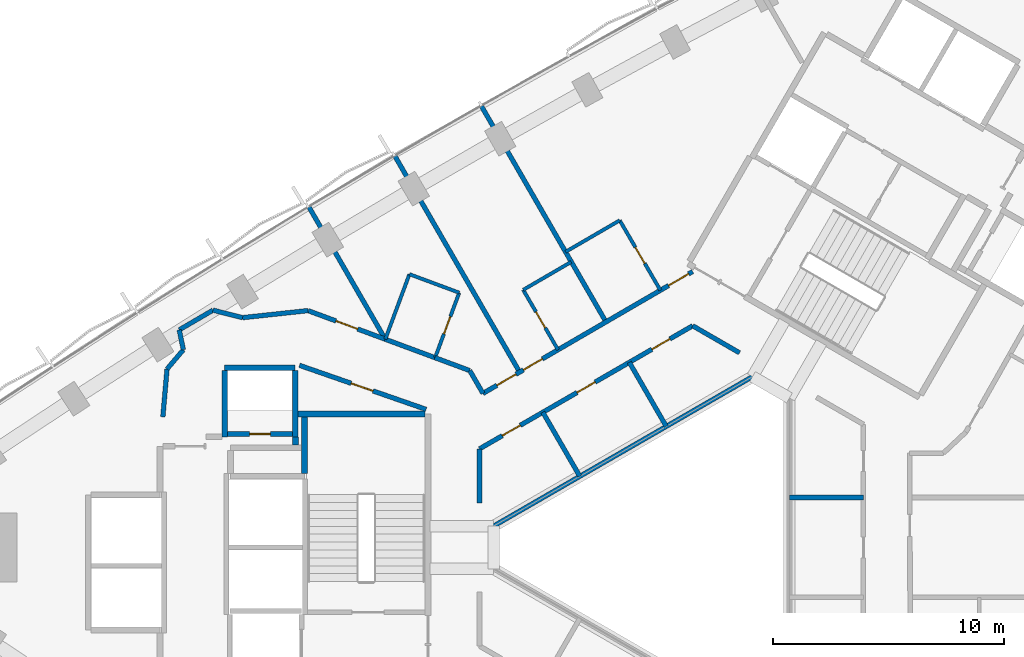
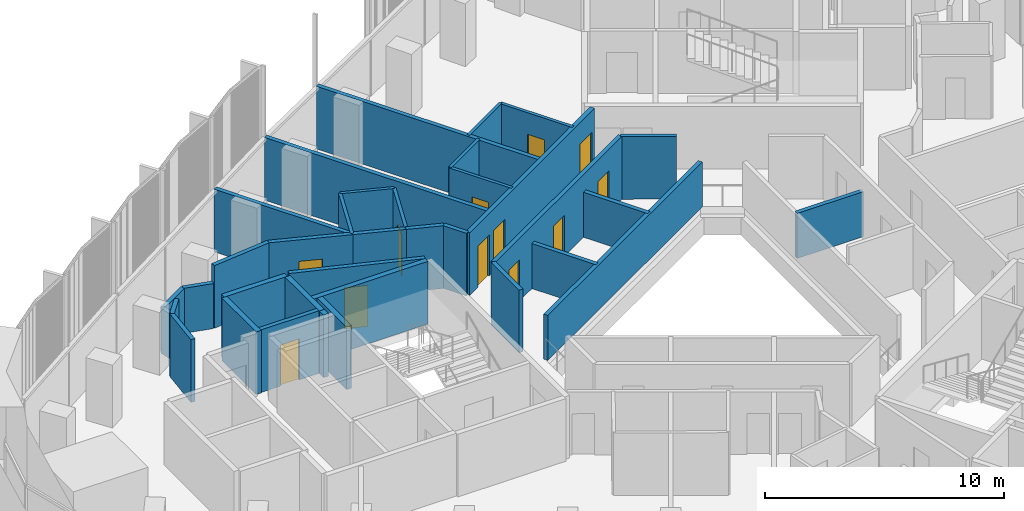
# One storey, part 10 of 15: 36 walls, 12 doors, 12 openings.
"""IFC4 building model written with IfcOpenShell, lengths in metres."""

import ifcopenshell
import ifcopenshell.guid

model = None  # the IFC model being written
_history = None  # IfcOwnerHistory: only IFC2X3 demands one
_inside = {}  # id of a spatial element -> (the spatial element, [elements in it])
_under = {}  # id of a project, library or spatial element -> (it, [spatial elements below it])
_declared = {}  # id of a project -> (the project, [libraries it declares])
_typed = {}  # id of a type object -> (the type object, [elements of that type])
_made_of = {}  # id of a material, layer set ... -> (it, [elements and type objects made of it])


def new_model(schema):
    """Start an empty IFC model of exactly this schema.

    Asked for "IFC4X3", IfcOpenShell would pick the latest addendum, in which some entities
    have other attributes; the version numbers below select the first issue.
    IFC2X3 requires an IfcOwnerHistory on every rooted entity: one is made here for all.
    """
    global model, _history
    if schema == "IFC4X3":
        model = ifcopenshell.file(schema_version=(4, 3, 0, 0))
    else:
        model = ifcopenshell.file(schema=schema)
    _inside.clear()
    _under.clear()
    _declared.clear()
    _typed.clear()
    _made_of.clear()
    _history = None
    if model.schema == "IFC2X3":
        org = make("IfcOrganization", Name="unknown")
        user = make(
            "IfcPersonAndOrganization",
            ThePerson=make("IfcPerson", FamilyName="unknown"),
            TheOrganization=org,
        )
        app = make(
            "IfcApplication",
            ApplicationDeveloper=org,
            Version="unknown",
            ApplicationFullName="unknown",
            ApplicationIdentifier="unknown",
        )
        _history = make(
            "IfcOwnerHistory",
            OwningUser=user,
            OwningApplication=app,
            ChangeAction="ADDED",
            CreationDate=0,
        )
    return model


def make(cls, **values):
    """One entity of the class cls with the attributes given. An attribute that is None is left unset."""
    return model.create_entity(
        cls, **{name: value for name, value in values.items() if value is not None}
    )


def rooted(cls, **values):
    """An entity with a GlobalId (a new one), such as an element, a storey or a relation."""
    return make(cls, GlobalId=ifcopenshell.guid.new(), OwnerHistory=_history, **values)


def si_unit(unit_type, name, prefix=None):
    """IfcSIUnit, for example si_unit("LENGTHUNIT", "METRE", prefix="MILLI")."""
    return make("IfcSIUnit", UnitType=unit_type, Prefix=prefix, Name=name)


def assignment(units):
    """IfcUnitAssignment: the units of a project."""
    return None if units is None else make("IfcUnitAssignment", Units=units)


def point(xyz):
    """IfcCartesianPoint."""
    return None if xyz is None else make("IfcCartesianPoint", Coordinates=xyz)


def direction(xyz):
    """IfcDirection."""
    return None if xyz is None else make("IfcDirection", DirectionRatios=xyz)


def frame(location, z_axis=None, x_axis=None):
    """IfcAxis2Placement3D, a coordinate frame: its origin and axes. An axis left out is left unset."""
    return make(
        "IfcAxis2Placement3D",
        Location=point(location),
        Axis=direction(z_axis),
        RefDirection=direction(x_axis),
    )


def frame_2d(location, x_axis=None):
    """IfcAxis2Placement2D, a coordinate frame in the plane: its origin and x axis."""
    return make(
        "IfcAxis2Placement2D", Location=point(location), RefDirection=direction(x_axis)
    )


def origin():
    """The frame at (0, 0, 0) with its axes left unset."""
    return frame((0.0, 0.0, 0.0))


def place(relative_to, where):
    """IfcLocalPlacement: puts the frame where relative to a parent placement (None: the world)."""
    return make(
        "IfcLocalPlacement", PlacementRelTo=relative_to, RelativePlacement=where
    )


def context(
    kind, dimensions, precision=None, world=None, true_north=None, identifier=None
):
    """IfcGeometricRepresentationContext, for example the 3D "Model" context."""
    return make(
        "IfcGeometricRepresentationContext",
        ContextIdentifier=identifier,
        ContextType=kind,
        CoordinateSpaceDimension=dimensions,
        Precision=precision,
        WorldCoordinateSystem=world,
        TrueNorth=true_north,
    )


def subcontext(parent, identifier, kind, view, scale=None):
    """IfcGeometricRepresentationSubContext, for example "Body" below "Model"."""
    return make(
        "IfcGeometricRepresentationSubContext",
        ContextIdentifier=identifier,
        ContextType=kind,
        ParentContext=parent,
        TargetScale=scale,
        TargetView=view,
    )


def project(units=None, contexts=None):
    """IfcProject with its units and contexts."""
    return rooted(
        "IfcProject",
        Name="project",
        RepresentationContexts=contexts,
        UnitsInContext=assignment(units),
    )


def spatial(cls, under=None, at=None, **own):
    """A site, building, storey or space (cls), placed at a placement, below another one or the project."""
    s = rooted(cls, ObjectPlacement=at, **own)
    if under is not None:
        _under.setdefault(under.id(), (under, []))[1].append(s)
    return s


def profile(cls, at=None, kind="AREA", **sizes):
    """A parametric profile (cls). Its sizes go by their IFC names, for example OverallWidth=200.0."""
    return make(cls, ProfileType=kind, Position=at, **sizes)


def rectangle(**sizes):
    """IfcRectangleProfileDef."""
    return profile("IfcRectangleProfileDef", **sizes)


def extrude(swept, where, along, depth):
    """IfcExtrudedAreaSolid: the profile swept, set in the frame where, extruded along a direction by depth."""
    return make(
        "IfcExtrudedAreaSolid",
        SweptArea=swept,
        Position=where,
        ExtrudedDirection=direction(along),
        Depth=depth,
    )


def shape(context_of_items, identifier, shape_type, items):
    """IfcShapeRepresentation: the items that make up one representation, for example the "Body"."""
    return make(
        "IfcShapeRepresentation",
        ContextOfItems=context_of_items,
        RepresentationIdentifier=identifier,
        RepresentationType=shape_type,
        Items=items,
    )


def material(Name=None, Category=None):
    """IfcMaterial."""
    return make("IfcMaterial", Name=Name, Category=Category)


def layer(
    of_material, thickness, ventilated=None, Name=None, Category=None, Priority=None
):
    """IfcMaterialLayer: one layer of a wall or slab, of a material (None: an air gap)."""
    return make(
        "IfcMaterialLayer",
        Material=of_material,
        LayerThickness=thickness,
        IsVentilated=ventilated,
        Name=Name,
        Category=Category,
        Priority=Priority,
    )


def layer_set(layers, Name=None):
    """IfcMaterialLayerSet."""
    return make("IfcMaterialLayerSet", MaterialLayers=layers, LayerSetName=Name)


def made_of(thing, what):
    """Note that an element or type object is made of a material, layer set ...; save() writes the relation."""
    if what is not None:
        _made_of.setdefault(what.id(), (what, []))[1].append(thing)
    return thing


def type_object(cls, material=None, **own):
    """A type object (cls), such as IfcWallType, which elements share."""
    return made_of(rooted(cls, **own), material)


def element(
    cls,
    number,
    at=None,
    inside=None,
    cuts=None,
    type_object=None,
    material=None,
    context=None,
    identifier="Body",
    shape_type=None,
    held_by="IfcProductDefinitionShape",
    body=None,
    shapes=None,
    **own,
):
    """One element of the class cls, such as IfcWall. Its Tag is "e" and its number.

    at: its placement. inside: the storey or other place that contains it. cuts: it is an
    opening in that element (IfcRelVoidsElement). A single representation is given by context,
    identifier, shape_type and body (its items); several are given by shapes. held_by: the class
    of the entity that holds the representations. save() writes the other relations.
    """
    e = rooted(cls, Tag="e%d" % number, ObjectPlacement=at, **own)
    if body is not None:
        shapes = [shape(context, identifier, shape_type, body)]
    if shapes is not None:
        e.Representation = make(held_by, Representations=shapes)
    if inside is not None:
        _inside.setdefault(inside.id(), (inside, []))[1].append(e)
    if cuts is not None:
        rooted(
            "IfcRelVoidsElement", RelatingBuildingElement=cuts, RelatedOpeningElement=e
        )
    if type_object is not None:
        _typed.setdefault(type_object.id(), (type_object, []))[1].append(e)
    return made_of(e, material)


def fill(opening, filler):
    """IfcRelFillsElement: the door or window that sits in an opening."""
    return rooted(
        "IfcRelFillsElement",
        RelatingOpeningElement=opening,
        RelatedBuildingElement=filler,
    )


def aggregate(whole, parts):
    """IfcRelAggregates: a whole, such as a stair, and the parts it consists of."""
    return rooted("IfcRelAggregates", RelatingObject=whole, RelatedObjects=parts)


def save(model, path):
    """Write the relations noted so far, then the file.

    IfcRelAggregates (storeys below a building ...), IfcRelContainedInSpatialStructure (elements
    in a storey), IfcRelDefinesByType, IfcRelAssociatesMaterial and IfcRelDeclares: one each for
    every whole, place, type object, material and project.
    """
    for whole, parts in _under.values():
        aggregate(whole, parts)
    for where, things in _inside.values():
        rooted(
            "IfcRelContainedInSpatialStructure",
            RelatedElements=things,
            RelatingStructure=where,
        )
    for kind, things in _typed.values():
        rooted("IfcRelDefinesByType", RelatedObjects=things, RelatingType=kind)
    for what, things in _made_of.values():
        rooted("IfcRelAssociatesMaterial", RelatedObjects=things, RelatingMaterial=what)
    for by, libraries in _declared.values():
        rooted("IfcRelDeclares", RelatingContext=by, RelatedDefinitions=libraries)
    model.write(path)


model = new_model("IFC4")

# Units and contexts
model_context = context("Model", 3, precision=1e-05, world=origin(), true_north=direction((0.0, 1.0)))
body_context = subcontext(model_context, "Body", "Model", "MODEL_VIEW")
ifc_project = project(units=[si_unit("LENGTHUNIT", "METRE"), si_unit("AREAUNIT", "SQUARE_METRE"), si_unit("VOLUMEUNIT", "CUBIC_METRE"), si_unit("PLANEANGLEUNIT", "RADIAN"), si_unit("MASSUNIT", "GRAM", prefix="KILO")], contexts=[model_context])

# Site, building, storey
site_placement = place(None, origin())
site = spatial("IfcSite", under=ifc_project, at=site_placement, CompositionType="ELEMENT")
building_placement = place(site_placement, origin())
building = spatial("IfcBuilding", under=site, at=building_placement, Name="Tamra Quay Hotel Tower", CompositionType="ELEMENT")
storey_placement = place(building_placement, frame((0.0, 0.0, 157.60009765625)))
storey = spatial("IfcBuildingStorey", under=building, at=storey_placement, Name="L39", CompositionType="ELEMENT", Elevation=157.60009765625)

# Wall, opening, door
ifc_material_1 = material(Name="Concrete M70", Category="concrete")
ifc_layer_1 = layer(ifc_material_1, 0.199951171875)
ifc_layer_set_1 = layer_set([ifc_layer_1], Name="Concrete M70 core wall 200")
wall_type_1 = type_object("IfcWallType", Name="Concrete M70 core wall 200", PredefinedType="SHEAR", material=ifc_layer_set_1)
wall_1_placement = place(storey_placement, frame((-19.51123046875, 4.91015625, 0.0), z_axis=(0.0, 0.0, 1.0), x_axis=(1.0, 0.0, 0.0)))
wall_1 = element("IfcWall", 1, at=wall_1_placement, inside=storey, type_object=wall_type_1, Name="CW2", PredefinedType="SHEAR", context=body_context, shape_type="SweptSolid", body=[
    extrude(rectangle(XDim=2.7978515625, YDim=0.199951171875, at=frame_2d((1.39892578125, 0.0))), origin(), (0.0, 0.0, 1.0), 3.199951171875),
])
opening_1_placement = place(wall_1_placement, frame((0.948974609375, 0.0, 0.0)))
opening_1 = element("IfcOpeningElement", 2, at=opening_1_placement, cuts=wall_1, Name="Opening D1", PredefinedType="OPENING", context=body_context, shape_type="SweptSolid", body=[
    extrude(rectangle(XDim=0.89990234375, YDim=2.10009765625, at=frame_2d((0.449951171875, 1.050048828125))), frame((0.0, 0.10986328125, 0.0), z_axis=(0.0, -1.0, 0.0), x_axis=(1.0, 0.0, 0.0)), (0.0, 0.0, 1.0), 0.219970703125),
])
ifc_material_2 = material(Name="Core door D1 900x2100 RH")
door_type_1 = type_object("IfcDoorType", Name="Core door D1 900x2100 RH", OperationType="NOTDEFINED", PredefinedType="DOOR", material=ifc_material_2)
door_1_placement = place(opening_1_placement, origin())
door_1 = element("IfcDoor", 3, at=door_1_placement, inside=storey, type_object=door_type_1, Name="D1", OperationType="SINGLE_SWING_RIGHT", OverallHeight=2.10009765625, OverallWidth=0.89990234375, PredefinedType="DOOR", context=body_context, shape_type="SweptSolid", body=[
    extrude(rectangle(XDim=0.89990234375, YDim=2.10009765625, at=frame_2d((0.449951171875, 1.050048828125))), frame((0.0, 0.02490234375, 0.0), z_axis=(0.0, -1.0, 0.0), x_axis=(1.0, 0.0, 0.0)), (0.0, 0.0, 1.0), 0.050048828125),
])
fill(opening_1, door_1)

# Walls
ifc_layer_2 = layer(ifc_material_1, 0.25)
ifc_layer_set_2 = layer_set([ifc_layer_2], Name="Concrete M70 core wall 250")
wall_type_2 = type_object("IfcWallType", Name="Concrete M70 core wall 250", PredefinedType="SHEAR", material=ifc_layer_set_2)
wall_2_placement = place(storey_placement, frame((-16.47216796875, 5.77490234375, 0.0), z_axis=(0.0, 0.0, 1.0), x_axis=(1.0, 0.0, 0.0)))
element("IfcWall", 4, at=wall_2_placement, inside=storey, type_object=wall_type_2, Name="CW1", PredefinedType="SHEAR", context=body_context, shape_type="SweptSolid", body=[
    extrude(rectangle(XDim=5.509521484375, YDim=0.25, at=frame_2d((2.7548828125, 0.0))), origin(), (0.0, 0.0, 1.0), 3.199951171875),
])
wall_3_placement = place(storey_placement, frame((-19.63720703125, 7.77490234375, 0.0), z_axis=(0.0, 0.0, 1.0), x_axis=(1.0, 0.0, 0.0)))
element("IfcWall", 5, at=wall_3_placement, inside=storey, type_object=wall_type_2, Name="CW1", PredefinedType="SHEAR", context=body_context, shape_type="SweptSolid", body=[
    extrude(rectangle(XDim=3.0498046875, YDim=0.25, at=frame_2d((1.52490234375, 0.0))), origin(), (0.0, 0.0, 1.0), 3.199951171875),
])
for number, where, z_axis, x_axis, name in (
    (6, (-16.58740234375, 7.649658203125, 0.0), (0.0, 0.0, 1.0), (0.0, -1.0, 0.0), "CW1"),
    (7, (-19.63720703125, 4.784912109375, 0.0), (0.0, 0.0, 1.0), (0.0, 1.0, 0.0), "CW1"),
):
    element("IfcWall", number, at=place(storey_placement, frame(where, z_axis=z_axis, x_axis=x_axis)), inside=storey, type_object=wall_type_2, Name=name, PredefinedType="SHEAR", context=body_context, shape_type="SweptSolid", body=[
        extrude(rectangle(XDim=2.86474609375, YDim=0.25, at=frame_2d((1.432373046875, 0.0))), origin(), (0.0, 0.0, 1.0), 3.199951171875),
    ])
wall_4_placement = place(storey_placement, frame((-16.187255859375, 3.200439453125, 0.0), z_axis=(0.0, 0.0, 1.0), x_axis=(0.0, 1.0, 0.0)))
element("IfcWall", 8, at=wall_4_placement, inside=storey, type_object=wall_type_2, Name="CW1", PredefinedType="SHEAR", context=body_context, shape_type="SweptSolid", body=[
    extrude(rectangle(XDim=2.44921875, YDim=0.25, at=frame_2d((1.224609375, 0.0))), origin(), (0.0, 0.0, 1.0), 3.199951171875),
])
wall_5_placement = place(storey_placement, frame((-16.577392578125, 4.784912109375, 0.0), z_axis=(0.0, 0.0, 1.0), x_axis=(0.0, -1.0, 0.0)))
element("IfcWall", 9, at=wall_5_placement, inside=storey, type_object=wall_type_2, Name="CW1", PredefinedType="SHEAR", context=body_context, shape_type="SweptSolid", body=[
    extrude(rectangle(XDim=0.344482421875, YDim=0.25, at=frame_2d((0.17236328125, 0.0))), origin(), (0.0, 0.0, 1.0), 3.199951171875),
])
ifc_material_3 = material(Name="Partition corridor wall")
ifc_layer_3 = layer(ifc_material_3, 0.199951171875)
ifc_layer_set_3 = layer_set([ifc_layer_3], Name="Partition corridor wall")
wall_type_3 = type_object("IfcWallType", Name="Partition corridor wall", PredefinedType="PARTITIONING", material=ifc_layer_set_3)
wall_6_placement = place(storey_placement, frame((-22.131103515625, 7.719970703125, 0.0), z_axis=(0.0, 0.0, 1.0), x_axis=(-0.086827346826, -0.996223374471, 0.0)))
element("IfcWall", 10, at=wall_6_placement, inside=storey, type_object=wall_type_3, Name="W-C", PredefinedType="PARTITIONING", context=body_context, shape_type="SweptSolid", body=[
    extrude(rectangle(XDim=2.077880859375, YDim=0.199951171875, at=frame_2d((1.0390625, 0.0))), origin(), (0.0, 0.0, 1.0), 3.199951171875),
])
wall_7_placement = place(storey_placement, frame((-22.131103515625, 7.719970703125, 0.0), z_axis=(0.0, 0.0, 1.0), x_axis=(0.647024749006, 0.762468998828, 0.0)))
element("IfcWall", 11, at=wall_7_placement, inside=storey, type_object=wall_type_3, Name="W-C", PredefinedType="PARTITIONING", context=body_context, shape_type="SweptSolid", body=[
    extrude(rectangle(XDim=1.09130859375, YDim=0.199951171875, at=frame_2d((0.545654296875, 0.0))), origin(), (0.0, 0.0, 1.0), 3.199951171875),
])
wall_8_placement = place(storey_placement, frame((-21.60498046875, 9.412109375, 0.0), z_axis=(0.0, 0.0, 1.0), x_axis=(0.204764111512, -0.978811349871, 0.0)))
element("IfcWall", 12, at=wall_8_placement, inside=storey, type_object=wall_type_3, Name="W-C", PredefinedType="PARTITIONING", context=body_context, shape_type="SweptSolid", body=[
    extrude(rectangle(XDim=0.878662109375, YDim=0.199951171875, at=frame_2d((0.439453125, 0.0))), origin(), (0.0, 0.0, 1.0), 2.2998046875),
])
wall_9_placement = place(storey_placement, frame((-21.60400390625, 9.4130859375, 0.0), z_axis=(0.0, 0.0, 1.0), x_axis=(0.863736988548, 0.503942868402, 0.0)))
element("IfcWall", 13, at=wall_9_placement, inside=storey, type_object=wall_type_3, Name="W-C", PredefinedType="PARTITIONING", context=body_context, shape_type="SweptSolid", body=[
    extrude(rectangle(XDim=1.690185546875, YDim=0.199951171875, at=frame_2d((0.84521484375, 0.0))), origin(), (0.0, 0.0, 1.0), 2.2998046875),
])
wall_10_placement = place(storey_placement, frame((-20.14306640625, 10.26611328125, 0.0), z_axis=(0.0, 0.0, 1.0), x_axis=(0.969121308325, -0.246584447505, 0.0)))
element("IfcWall", 14, at=wall_10_placement, inside=storey, type_object=wall_type_3, Name="W-C", PredefinedType="PARTITIONING", context=body_context, shape_type="SweptSolid", body=[
    extrude(rectangle(XDim=1.31884765625, YDim=0.199951171875, at=frame_2d((0.659423828125, 0.0))), origin(), (0.0, 0.0, 1.0), 2.2998046875),
])
wall_11_placement = place(storey_placement, frame((-18.864990234375, 9.94091796875, 0.0), z_axis=(0.0, 0.0, 1.0), x_axis=(0.99423123086, 0.107257911519, 0.0)))
element("IfcWall", 15, at=wall_11_placement, inside=storey, type_object=wall_type_3, Name="W-C", PredefinedType="PARTITIONING", context=body_context, shape_type="SweptSolid", body=[
    extrude(rectangle(XDim=2.854248046875, YDim=0.199951171875, at=frame_2d((1.42724609375, 0.0))), origin(), (0.0, 0.0, 1.0), 3.199951171875),
])

# Wall, opening, door
wall_12_placement = place(storey_placement, frame((-16.40234375, 7.879150390625, 0.0), z_axis=(0.0, 0.0, 1.0), x_axis=(0.944492255471, -0.328533680702, 0.0)))
wall_12 = element("IfcWall", 16, at=wall_12_placement, inside=storey, type_object=wall_type_3, Name="W-C", PredefinedType="PARTITIONING", context=body_context, shape_type="SweptSolid", body=[
    extrude(rectangle(XDim=5.80224609375, YDim=0.199951171875, at=frame_2d((2.901123046875, 0.0))), origin(), (0.0, 0.0, 1.0), 3.199951171875),
])
opening_2_placement = place(wall_12_placement, frame((2.36962890625, 0.0, 0.0)))
opening_2 = element("IfcOpeningElement", 17, at=opening_2_placement, cuts=wall_12, Name="Opening L39-D012", PredefinedType="OPENING", context=body_context, shape_type="SweptSolid", body=[
    extrude(rectangle(XDim=1.0, YDim=2.10009765625, at=frame_2d((0.5, 1.050048828125))), frame((0.0, 0.10986328125, 0.0), z_axis=(0.0, -1.0, 0.0), x_axis=(1.0, 0.0, 0.0)), (0.0, 0.0, 1.0), 0.219970703125),
])
ifc_material_4 = material(Name="Door guest room 1000x2100")
door_type_2 = type_object("IfcDoorType", Name="Door guest room 1000x2100", OperationType="NOTDEFINED", PredefinedType="DOOR", material=ifc_material_4)
door_2_placement = place(opening_2_placement, frame((1.0, 0.0, 0.0), z_axis=(0.0, 0.0, 1.0), x_axis=(-1.0, 0.0, 0.0)))
door_2 = element("IfcDoor", 18, at=door_2_placement, inside=storey, type_object=door_type_2, Name="L39-D012", OperationType="SINGLE_SWING_LEFT", OverallHeight=2.10009765625, OverallWidth=1.0, PredefinedType="DOOR", context=body_context, shape_type="SweptSolid", body=[
    extrude(rectangle(XDim=1.0, YDim=2.10009765625, at=frame_2d((0.5, 1.050048828125))), frame((0.0, 0.02490234375, 0.0), z_axis=(0.0, -1.0, 0.0), x_axis=(1.0, 0.0, 0.0)), (0.0, 0.0, 1.0), 0.050048828125),
])
fill(opening_2, door_2)

wall_13_placement = place(storey_placement, frame((-16.0263671875, 10.244873046875, 0.0), z_axis=(0.0, 0.0, 1.0), x_axis=(0.937597839511, -0.347721571584, 0.0)))
wall_13 = element("IfcWall", 19, at=wall_13_placement, inside=storey, type_object=wall_type_3, Name="W-C", PredefinedType="PARTITIONING", context=body_context, shape_type="SweptSolid", body=[
    extrude(rectangle(XDim=3.572998046875, YDim=0.199951171875, at=frame_2d((1.78662109375, 0.0))), origin(), (0.0, 0.0, 1.0), 3.199951171875),
])
opening_3_placement = place(wall_13_placement, frame((1.28662109375, 0.0, 0.0)))
opening_3 = element("IfcOpeningElement", 20, at=opening_3_placement, cuts=wall_13, Name="Opening L39-D013", PredefinedType="OPENING", context=body_context, shape_type="SweptSolid", body=[
    extrude(rectangle(XDim=1.0, YDim=2.10009765625, at=frame_2d((0.5, 1.050048828125))), frame((0.0, 0.10986328125, 0.0), z_axis=(0.0, -1.0, 0.0), x_axis=(1.0, 0.0, 0.0)), (0.0, 0.0, 1.0), 0.219970703125),
])
door_3_placement = place(opening_3_placement, frame((1.0, 0.0, 0.0), z_axis=(0.0, 0.0, 1.0), x_axis=(-1.0, 0.0, 0.0)))
door_3 = element("IfcDoor", 21, at=door_3_placement, inside=storey, type_object=door_type_2, Name="L39-D013", OperationType="SINGLE_SWING_LEFT", OverallHeight=2.10009765625, OverallWidth=1.0, PredefinedType="DOOR", context=body_context, shape_type="SweptSolid", body=[
    extrude(rectangle(XDim=1.0, YDim=2.10009765625, at=frame_2d((0.5, 1.050048828125))), frame((0.0, 0.02490234375, 0.0), z_axis=(0.0, -1.0, 0.0), x_axis=(1.0, 0.0, 0.0)), (0.0, 0.0, 1.0), 0.050048828125),
])
fill(opening_3, door_3)

# Walls
wall_14_placement = place(storey_placement, frame((-12.698974609375, 9.010986328125, 0.0), z_axis=(0.0, 0.0, 1.0), x_axis=(0.937666284737, -0.347536959858, 0.0)))
element("IfcWall", 22, at=wall_14_placement, inside=storey, type_object=wall_type_3, Name="W-C", PredefinedType="PARTITIONING", context=body_context, shape_type="SweptSolid", body=[
    extrude(rectangle(XDim=2.32177734375, YDim=0.199951171875, at=frame_2d((1.160888671875, 0.0))), origin(), (0.0, 0.0, 1.0), 3.199951171875),
])
wall_15_placement = place(storey_placement, frame((-10.544921875, 8.2119140625, 0.0), z_axis=(0.0, 0.0, 1.0), x_axis=(0.937637162141, -0.347615523491, 0.0)))
element("IfcWall", 23, at=wall_15_placement, inside=storey, type_object=wall_type_3, Name="W-C", PredefinedType="PARTITIONING", context=body_context, shape_type="SweptSolid", body=[
    extrude(rectangle(XDim=1.6103515625, YDim=0.199951171875, at=frame_2d((0.80517578125, 0.0))), origin(), (0.0, 0.0, 1.0), 3.199951171875),
])
wall_16_placement = place(storey_placement, frame((-9.032958984375, 7.65087890625, 0.0), z_axis=(0.0, 0.0, 1.0), x_axis=(0.500758224517, -0.86558719987, 0.0)))
element("IfcWall", 24, at=wall_16_placement, inside=storey, type_object=wall_type_3, Name="W-C", PredefinedType="PARTITIONING", context=body_context, shape_type="SweptSolid", body=[
    extrude(rectangle(XDim=1.142333984375, YDim=0.199951171875, at=frame_2d((0.5712890625, 0.0))), origin(), (0.0, 0.0, 1.0), 3.199951171875),
])
wall_17_placement = place(storey_placement, frame((-8.612060546875, 1.926025390625, 0.0), z_axis=(0.0, 0.0, 1.0), x_axis=(0.0, 1.0, 0.0)))
element("IfcWall", 25, at=wall_17_placement, inside=storey, type_object=wall_type_3, Name="W-C", PredefinedType="PARTITIONING", context=body_context, shape_type="SweptSolid", body=[
    extrude(rectangle(XDim=2.3388671875, YDim=0.199951171875, at=frame_2d((1.16943359375, 0.0))), origin(), (0.0, 0.0, 1.0), 3.199951171875),
])

# Wall, openings, doors
wall_18_placement = place(storey_placement, frame((-8.61181640625, 4.2646484375, 0.0), z_axis=(0.0, 0.0, 1.0), x_axis=(0.865984415152, 0.500070987675, 0.0)))
wall_18 = element("IfcWall", 26, at=wall_18_placement, inside=storey, type_object=wall_type_3, Name="W-C", PredefinedType="PARTITIONING", context=body_context, shape_type="SweptSolid", body=[
    extrude(rectangle(XDim=10.6513671875, YDim=0.199951171875, at=frame_2d((5.32568359375, 0.0))), origin(), (0.0, 0.0, 1.0), 3.199951171875),
])
opening_4_placement = place(wall_18_placement, frame((8.61328125, 0.0, 0.0)))
opening_4 = element("IfcOpeningElement", 27, at=opening_4_placement, cuts=wall_18, Name="Opening L39-D027", PredefinedType="OPENING", context=body_context, shape_type="SweptSolid", body=[
    extrude(rectangle(XDim=0.89990234375, YDim=2.10009765625, at=frame_2d((0.449951171875, 1.050048828125))), frame((0.0, 0.10986328125, 0.0), z_axis=(0.0, -1.0, 0.0), x_axis=(1.0, 0.0, 0.0)), (0.0, 0.0, 1.0), 0.219970703125),
])
opening_5_placement = place(wall_18_placement, frame((4.8759765625, 0.0, 0.0)))
opening_5 = element("IfcOpeningElement", 28, at=opening_5_placement, cuts=wall_18, Name="Opening L39-D028", PredefinedType="OPENING", context=body_context, shape_type="SweptSolid", body=[
    extrude(rectangle(XDim=0.89990234375, YDim=2.10009765625, at=frame_2d((0.449951171875, 1.050048828125))), frame((0.0, 0.10986328125, 0.0), z_axis=(0.0, -1.0, 0.0), x_axis=(1.0, 0.0, 0.0)), (0.0, 0.0, 1.0), 0.219970703125),
])
opening_6_placement = place(wall_18_placement, frame((1.1376953125, 0.0, 0.0)))
opening_6 = element("IfcOpeningElement", 29, at=opening_6_placement, cuts=wall_18, Name="Opening L39-D029", PredefinedType="OPENING", context=body_context, shape_type="SweptSolid", body=[
    extrude(rectangle(XDim=0.89990234375, YDim=2.10009765625, at=frame_2d((0.449951171875, 1.050048828125))), frame((0.0, 0.10986328125, 0.0), z_axis=(0.0, -1.0, 0.0), x_axis=(1.0, 0.0, 0.0)), (0.0, 0.0, 1.0), 0.219970703125),
])
ifc_material_5 = material(Name="Door service room 900x2100")
door_type_3 = type_object("IfcDoorType", Name="Door service room 900x2100", OperationType="NOTDEFINED", PredefinedType="DOOR", material=ifc_material_5)
door_4_placement = place(opening_4_placement, frame((0.89990234375, 0.0, 0.0), z_axis=(0.0, 0.0, 1.0), x_axis=(-1.0, 0.0, 0.0)))
door_4 = element("IfcDoor", 30, at=door_4_placement, inside=storey, type_object=door_type_3, Name="L39-D027", OperationType="SINGLE_SWING_LEFT", OverallHeight=2.10009765625, OverallWidth=0.89990234375, PredefinedType="DOOR", context=body_context, shape_type="SweptSolid", body=[
    extrude(rectangle(XDim=0.89990234375, YDim=2.10009765625, at=frame_2d((0.449951171875, 1.050048828125))), frame((0.0, 0.02490234375, 0.0), z_axis=(0.0, -1.0, 0.0), x_axis=(1.0, 0.0, 0.0)), (0.0, 0.0, 1.0), 0.050048828125),
])
fill(opening_4, door_4)
door_5_placement = place(opening_5_placement, frame((0.89990234375, 0.0, 0.0), z_axis=(0.0, 0.0, 1.0), x_axis=(-1.0, 0.0, 0.0)))
door_5 = element("IfcDoor", 31, at=door_5_placement, inside=storey, type_object=door_type_3, Name="L39-D028", OperationType="SINGLE_SWING_LEFT", OverallHeight=2.10009765625, OverallWidth=0.89990234375, PredefinedType="DOOR", context=body_context, shape_type="SweptSolid", body=[
    extrude(rectangle(XDim=0.89990234375, YDim=2.10009765625, at=frame_2d((0.449951171875, 1.050048828125))), frame((0.0, 0.02490234375, 0.0), z_axis=(0.0, -1.0, 0.0), x_axis=(1.0, 0.0, 0.0)), (0.0, 0.0, 1.0), 0.050048828125),
])
fill(opening_5, door_5)
door_6_placement = place(opening_6_placement, frame((0.89990234375, 0.0, 0.0), z_axis=(0.0, 0.0, 1.0), x_axis=(-1.0, 0.0, 0.0)))
door_6 = element("IfcDoor", 32, at=door_6_placement, inside=storey, type_object=door_type_3, Name="L39-D029", OperationType="SINGLE_SWING_LEFT", OverallHeight=2.10009765625, OverallWidth=0.89990234375, PredefinedType="DOOR", context=body_context, shape_type="SweptSolid", body=[
    extrude(rectangle(XDim=0.89990234375, YDim=2.10009765625, at=frame_2d((0.449951171875, 1.050048828125))), frame((0.0, 0.02490234375, 0.0), z_axis=(0.0, -1.0, 0.0), x_axis=(1.0, 0.0, 0.0)), (0.0, 0.0, 1.0), 0.050048828125),
])
fill(opening_6, door_6)

wall_19_placement = place(storey_placement, frame((-8.462158203125, 6.663818359375, 0.0), z_axis=(0.0, 0.0, 1.0), x_axis=(0.864575369233, 0.502503165081, 0.0)))
wall_19 = element("IfcWall", 33, at=wall_19_placement, inside=storey, type_object=wall_type_3, Name="W-C", PredefinedType="PARTITIONING", context=body_context, shape_type="SweptSolid", body=[
    extrude(rectangle(XDim=10.491943359375, YDim=0.199951171875, at=frame_2d((5.24609375, 0.0))), origin(), (0.0, 0.0, 1.0), 3.199951171875),
])
opening_7_placement = place(wall_19_placement, frame((9.2919921875, 0.0, 0.0)))
opening_7 = element("IfcOpeningElement", 34, at=opening_7_placement, cuts=wall_19, Name="Opening L39-D006", PredefinedType="OPENING", context=body_context, shape_type="SweptSolid", body=[
    extrude(rectangle(XDim=1.0, YDim=2.10009765625, at=frame_2d((0.5, 1.050048828125))), frame((0.0, 0.10986328125, 0.0), z_axis=(0.0, -1.0, 0.0), x_axis=(1.0, 0.0, 0.0)), (0.0, 0.0, 1.0), 0.219970703125),
])
opening_8_placement = place(wall_19_placement, frame((2.024169921875, 0.0, 0.0)))
opening_8 = element("IfcOpeningElement", 35, at=opening_8_placement, cuts=wall_19, Name="Opening L39-D008", PredefinedType="OPENING", context=body_context, shape_type="SweptSolid", body=[
    extrude(rectangle(XDim=0.949951171875, YDim=2.10009765625, at=frame_2d((0.47509765625, 1.050048828125))), frame((0.0, 0.10986328125, 0.0), z_axis=(0.0, -1.0, 0.0), x_axis=(1.0, 0.0, 0.0)), (0.0, 0.0, 1.0), 0.219970703125),
])
opening_9_placement = place(wall_19_placement, frame((0.697509765625, 0.0, 0.0)))
opening_9 = element("IfcOpeningElement", 36, at=opening_9_placement, cuts=wall_19, Name="Opening L39-D010", PredefinedType="OPENING", context=body_context, shape_type="SweptSolid", body=[
    extrude(rectangle(XDim=0.949951171875, YDim=2.10009765625, at=frame_2d((0.47509765625, 1.050048828125))), frame((0.0, 0.10986328125, 0.0), z_axis=(0.0, -1.0, 0.0), x_axis=(1.0, 0.0, 0.0)), (0.0, 0.0, 1.0), 0.219970703125),
])
door_7_placement = place(opening_7_placement, origin())
door_7 = element("IfcDoor", 37, at=door_7_placement, inside=storey, type_object=door_type_2, Name="L39-D006", OperationType="SINGLE_SWING_LEFT", OverallHeight=2.10009765625, OverallWidth=1.0, PredefinedType="DOOR", context=body_context, shape_type="SweptSolid", body=[
    extrude(rectangle(XDim=1.0, YDim=2.10009765625, at=frame_2d((0.5, 1.050048828125))), frame((0.0, 0.02490234375, 0.0), z_axis=(0.0, -1.0, 0.0), x_axis=(1.0, 0.0, 0.0)), (0.0, 0.0, 1.0), 0.050048828125),
])
fill(opening_7, door_7)
ifc_material_6 = material(Name="Door guest room 950x2100")
door_type_4 = type_object("IfcDoorType", Name="Door guest room 950x2100", OperationType="NOTDEFINED", PredefinedType="DOOR", material=ifc_material_6)
door_8_placement = place(opening_8_placement, origin())
door_8 = element("IfcDoor", 38, at=door_8_placement, inside=storey, type_object=door_type_4, Name="L39-D008", OperationType="SINGLE_SWING_LEFT", OverallHeight=2.10009765625, OverallWidth=0.949951171875, PredefinedType="DOOR", context=body_context, shape_type="SweptSolid", body=[
    extrude(rectangle(XDim=0.949951171875, YDim=2.10009765625, at=frame_2d((0.47509765625, 1.050048828125))), frame((0.0, 0.02490234375, 0.0), z_axis=(0.0, -1.0, 0.0), x_axis=(1.0, 0.0, 0.0)), (0.0, 0.0, 1.0), 0.050048828125),
])
fill(opening_8, door_8)
door_9_placement = place(opening_9_placement, origin())
door_9 = element("IfcDoor", 39, at=door_9_placement, inside=storey, type_object=door_type_4, Name="L39-D010", OperationType="SINGLE_SWING_LEFT", OverallHeight=2.10009765625, OverallWidth=0.949951171875, PredefinedType="DOOR", context=body_context, shape_type="SweptSolid", body=[
    extrude(rectangle(XDim=0.949951171875, YDim=2.10009765625, at=frame_2d((0.47509765625, 1.050048828125))), frame((0.0, 0.02490234375, 0.0), z_axis=(0.0, -1.0, 0.0), x_axis=(1.0, 0.0, 0.0)), (0.0, 0.0, 1.0), 0.050048828125),
])
fill(opening_9, door_9)

# Walls
wall_20_placement = place(storey_placement, frame((0.61181640625, 9.590576171875, 0.0), z_axis=(0.0, 0.0, 1.0), x_axis=(0.866077886601, -0.499909086075, 0.0)))
element("IfcWall", 40, at=wall_20_placement, inside=storey, type_object=wall_type_3, Name="W-C", PredefinedType="PARTITIONING", context=body_context, shape_type="SweptSolid", body=[
    extrude(rectangle(XDim=2.34033203125, YDim=0.199951171875, at=frame_2d((1.170166015625, 0.0))), origin(), (0.0, 0.0, 1.0), 3.199951171875),
])
ifc_material_7 = material(Name="Partition en-suite wall")
ifc_layer_4 = layer(ifc_material_7, 0.14990234375)
ifc_layer_set_4 = layer_set([ifc_layer_4], Name="Partition en-suite wall")
wall_type_4 = type_object("IfcWallType", Name="Partition en-suite wall", PredefinedType="PARTITIONING", material=ifc_layer_set_4)
wall_21_placement = place(storey_placement, frame((-12.68701171875, 9.008056640625, 0.0), z_axis=(0.0, 0.0, 1.0), x_axis=(0.347929104424, 0.937520846859, 0.0)))
element("IfcWall", 41, at=wall_21_placement, inside=storey, type_object=wall_type_4, Name="W-E", PredefinedType="PARTITIONING", context=body_context, shape_type="SweptSolid", body=[
    extrude(rectangle(XDim=3.00048828125, YDim=0.14990234375, at=frame_2d((1.500244140625, 0.0))), origin(), (0.0, 0.0, 1.0), 3.199951171875),
])
wall_22_placement = place(storey_placement, frame((-11.64306640625, 11.821044921875, 0.0), z_axis=(0.0, 0.0, 1.0), x_axis=(0.937429235302, -0.348175859015, 0.0)))
element("IfcWall", 42, at=wall_22_placement, inside=storey, type_object=wall_type_4, Name="W-E", PredefinedType="PARTITIONING", context=body_context, shape_type="SweptSolid", body=[
    extrude(rectangle(XDim=2.2978515625, YDim=0.14990234375, at=frame_2d((1.14892578125, 0.0))), origin(), (0.0, 0.0, 1.0), 3.199951171875),
])

# Wall, opening, door
wall_23_placement = place(storey_placement, frame((-10.532958984375, 8.208984375, 0.0), z_axis=(0.0, 0.0, 1.0), x_axis=(0.348035300423, 0.937481428968, 0.0)))
wall_23 = element("IfcWall", 43, at=wall_23_placement, inside=storey, type_object=wall_type_4, Name="W-E", PredefinedType="PARTITIONING", context=body_context, shape_type="SweptSolid", body=[
    extrude(rectangle(XDim=2.99951171875, YDim=0.14990234375, at=frame_2d((1.499755859375, 0.0))), origin(), (0.0, 0.0, 1.0), 3.199951171875),
])
opening_10_placement = place(wall_23_placement, frame((1.099609375, 0.0, 0.0)))
opening_10 = element("IfcOpeningElement", 44, at=opening_10_placement, cuts=wall_23, Name="Opening L39-D011", PredefinedType="OPENING", context=body_context, shape_type="SweptSolid", body=[
    extrude(rectangle(XDim=0.800048828125, YDim=2.10009765625, at=frame_2d((0.39990234375, 1.050048828125))), frame((0.0, 0.0849609375, 0.0), z_axis=(0.0, -1.0, 0.0), x_axis=(1.0, 0.0, 0.0)), (0.0, 0.0, 1.0), 0.169921875),
])
ifc_material_8 = material(Name="Door en-suite 800x2100")
door_type_5 = type_object("IfcDoorType", Name="Door en-suite 800x2100", OperationType="NOTDEFINED", PredefinedType="DOOR", material=ifc_material_8)
door_10_placement = place(opening_10_placement, origin())
door_10 = element("IfcDoor", 45, at=door_10_placement, inside=storey, type_object=door_type_5, Name="L39-D011", OperationType="SINGLE_SWING_LEFT", OverallHeight=2.10009765625, OverallWidth=0.800048828125, PredefinedType="DOOR", context=body_context, shape_type="SweptSolid", body=[
    extrude(rectangle(XDim=0.800048828125, YDim=2.10009765625, at=frame_2d((0.39990234375, 1.050048828125))), frame((0.0, 0.02490234375, 0.0), z_axis=(0.0, -1.0, 0.0), x_axis=(1.0, 0.0, 0.0)), (0.0, 0.0, 1.0), 0.050048828125),
])
fill(opening_10, door_10)

wall_24_placement = place(storey_placement, frame((-6.720947265625, 11.14404296875, 0.0), z_axis=(0.0, 0.0, 1.0), x_axis=(0.502742108773, -0.864436447673, 0.0)))
wall_24 = element("IfcWall", 46, at=wall_24_placement, inside=storey, type_object=wall_type_4, Name="W-E", PredefinedType="PARTITIONING", context=body_context, shape_type="SweptSolid", body=[
    extrude(rectangle(XDim=2.999755859375, YDim=0.14990234375, at=frame_2d((1.5, 0.0))), origin(), (0.0, 0.0, 1.0), 3.199951171875),
])
opening_11_placement = place(wall_24_placement, frame((1.099853515625, 0.0, 0.0)))
opening_11 = element("IfcOpeningElement", 47, at=opening_11_placement, cuts=wall_24, Name="Opening L39-D009", PredefinedType="OPENING", context=body_context, shape_type="SweptSolid", body=[
    extrude(rectangle(XDim=0.800048828125, YDim=2.10009765625, at=frame_2d((0.39990234375, 1.050048828125))), frame((0.0, 0.0849609375, 0.0), z_axis=(0.0, -1.0, 0.0), x_axis=(1.0, 0.0, 0.0)), (0.0, 0.0, 1.0), 0.169921875),
])
door_11_placement = place(opening_11_placement, origin())
door_11 = element("IfcDoor", 48, at=door_11_placement, inside=storey, type_object=door_type_5, Name="L39-D009", OperationType="SINGLE_SWING_LEFT", OverallHeight=2.10009765625, OverallWidth=0.800048828125, PredefinedType="DOOR", context=body_context, shape_type="SweptSolid", body=[
    extrude(rectangle(XDim=0.800048828125, YDim=2.10009765625, at=frame_2d((0.39990234375, 1.050048828125))), frame((0.0, 0.02490234375, 0.0), z_axis=(0.0, -1.0, 0.0), x_axis=(1.0, 0.0, 0.0)), (0.0, 0.0, 1.0), 0.050048828125),
])
fill(opening_11, door_11)

# Walls
wall_25_placement = place(storey_placement, frame((-6.720947265625, 11.14404296875, 0.0), z_axis=(0.0, 0.0, 1.0), x_axis=(0.864386917082, 0.502827264155, 0.0)))
element("IfcWall", 49, at=wall_25_placement, inside=storey, type_object=wall_type_4, Name="W-E", PredefinedType="PARTITIONING", context=body_context, shape_type="SweptSolid", body=[
    extrude(rectangle(XDim=2.400390625, YDim=0.14990234375, at=frame_2d((1.2001953125, 0.0))), origin(), (0.0, 0.0, 1.0), 3.199951171875),
])
wall_26_placement = place(storey_placement, frame((-4.887939453125, 12.7880859375, 0.0), z_axis=(0.0, 0.0, 1.0), x_axis=(0.864480777266, 0.502665878827, 0.0)))
element("IfcWall", 50, at=wall_26_placement, inside=storey, type_object=wall_type_4, Name="W-E", PredefinedType="PARTITIONING", context=body_context, shape_type="SweptSolid", body=[
    extrude(rectangle(XDim=2.709228515625, YDim=0.14990234375, at=frame_2d((1.3544921875, 0.0))), origin(), (0.0, 0.0, 1.0), 3.199951171875),
])

# Wall, opening, door
wall_27_placement = place(storey_placement, frame((-2.54296875, 14.14892578125, 0.0), z_axis=(0.0, 0.0, 1.0), x_axis=(0.502854686853, -0.864370964292, 0.0)))
wall_27 = element("IfcWall", 51, at=wall_27_placement, inside=storey, type_object=wall_type_4, Name="W-E", PredefinedType="PARTITIONING", context=body_context, shape_type="SweptSolid", body=[
    extrude(rectangle(XDim=3.49609375, YDim=0.14990234375, at=frame_2d((1.748046875, 0.0))), origin(), (0.0, 0.0, 1.0), 3.199951171875),
])
opening_12_placement = place(wall_27_placement, frame((1.34765625, 0.0, 0.0)))
opening_12 = element("IfcOpeningElement", 52, at=opening_12_placement, cuts=wall_27, Name="Opening L39-D007", PredefinedType="OPENING", context=body_context, shape_type="SweptSolid", body=[
    extrude(rectangle(XDim=0.800048828125, YDim=2.10009765625, at=frame_2d((0.39990234375, 1.050048828125))), frame((0.0, 0.0849609375, 0.0), z_axis=(0.0, -1.0, 0.0), x_axis=(1.0, 0.0, 0.0)), (0.0, 0.0, 1.0), 0.169921875),
])
door_12_placement = place(opening_12_placement, origin())
door_12 = element("IfcDoor", 53, at=door_12_placement, inside=storey, type_object=door_type_5, Name="L39-D007", OperationType="SINGLE_SWING_LEFT", OverallHeight=2.10009765625, OverallWidth=0.800048828125, PredefinedType="DOOR", context=body_context, shape_type="SweptSolid", body=[
    extrude(rectangle(XDim=0.800048828125, YDim=2.10009765625, at=frame_2d((0.39990234375, 1.050048828125))), frame((0.0, 0.02490234375, 0.0), z_axis=(0.0, -1.0, 0.0), x_axis=(1.0, 0.0, 0.0)), (0.0, 0.0, 1.0), 0.050048828125),
])
fill(opening_12, door_12)

# Walls
ifc_material_9 = material(Name="Partition party wall")
ifc_layer_5 = layer(ifc_material_9, 0.199951171875)
ifc_layer_set_5 = layer_set([ifc_layer_5], Name="Partition party wall")
wall_type_5 = type_object("IfcWallType", Name="Partition party wall", PredefinedType="PARTITIONING", material=ifc_layer_set_5)
wall_28_placement = place(storey_placement, frame((-15.996337890625, 14.73974609375, 0.0), z_axis=(0.0, 0.0, 1.0), x_axis=(0.500015153377, -0.866016654801, 0.0)))
element("IfcWall", 54, at=wall_28_placement, inside=storey, type_object=wall_type_5, Name="W-P", PredefinedType="PARTITIONING", context=body_context, shape_type="SweptSolid", body=[
    extrude(rectangle(XDim=6.618408203125, YDim=0.199951171875, at=frame_2d((3.30908203125, 0.0))), origin(), (0.0, 0.0, 1.0), 3.199951171875),
])
wall_29_placement = place(storey_placement, frame((-12.278564453125, 16.94580078125, 0.0), z_axis=(0.0, 0.0, 1.0), x_axis=(0.500003997498, -0.866023095816, 0.0)))
element("IfcWall", 55, at=wall_29_placement, inside=storey, type_object=wall_type_5, Name="W-P", PredefinedType="PARTITIONING", context=body_context, shape_type="SweptSolid", body=[
    extrude(rectangle(XDim=10.80908203125, YDim=0.199951171875, at=frame_2d((5.404541015625, 0.0))), origin(), (0.0, 0.0, 1.0), 3.199951171875),
])
wall_30_placement = place(storey_placement, frame((-8.535400390625, 19.10693359375, 0.0), z_axis=(0.0, 0.0, 1.0), x_axis=(0.499882324153, -0.866093333307, 0.0)))
element("IfcWall", 56, at=wall_30_placement, inside=storey, type_object=wall_type_5, Name="W-P", PredefinedType="PARTITIONING", context=body_context, shape_type="SweptSolid", body=[
    extrude(rectangle(XDim=10.7958984375, YDim=0.199951171875, at=frame_2d((5.39794921875, 0.0))), origin(), (0.0, 0.0, 1.0), 3.199951171875),
])
wall_31_placement = place(storey_placement, frame((-8.0, 0.924072265625, 0.0), z_axis=(0.0, 0.0, 1.0), x_axis=(0.86604129137, 0.499972480886, 0.0)))
element("IfcWall", 57, at=wall_31_placement, inside=storey, type_object=wall_type_5, Name="W-P", PredefinedType="PARTITIONING", context=body_context, shape_type="SweptSolid", body=[
    extrude(rectangle(XDim=12.932373046875, YDim=0.199951171875, at=frame_2d((6.46630859375, 0.0))), origin(), (0.0, 0.0, 1.0), 2.2998046875),
])
for number, where, z_axis, x_axis, name in (
    (58, (-5.871337890625, 5.848388671875, 0.0), (0.0, 0.0, 1.0), (0.500019588391, -0.866014094126, 0.0), "W-P"),
    (59, (-2.129638671875, 8.008056640625, 0.0), (0.0, 0.0, 1.0), (0.499872130319, -0.866099216793, 0.0), "W-P"),
):
    element("IfcWall", number, at=place(storey_placement, frame(where, z_axis=z_axis, x_axis=x_axis)), inside=storey, type_object=wall_type_5, Name=name, PredefinedType="PARTITIONING", context=body_context, shape_type="SweptSolid", body=[
        extrude(rectangle(XDim=3.200439453125, YDim=0.199951171875, at=frame_2d((1.60009765625, 0.0))), origin(), (0.0, 0.0, 1.0), 2.2998046875),
    ])
wall_32_placement = place(storey_placement, frame((4.800048828125, 2.160888671875, 0.0), z_axis=(0.0, 0.0, 1.0), x_axis=(1.0, 0.0, 0.0)))
element("IfcWall", 60, at=wall_32_placement, inside=storey, type_object=wall_type_5, Name="W-P", PredefinedType="PARTITIONING", context=body_context, shape_type="SweptSolid", body=[
    extrude(rectangle(XDim=3.199951171875, YDim=0.199951171875, at=frame_2d((1.60009765625, 0.0))), origin(), (0.0, 0.0, 1.0), 2.2998046875),
])

save(model, "model.ifc")
